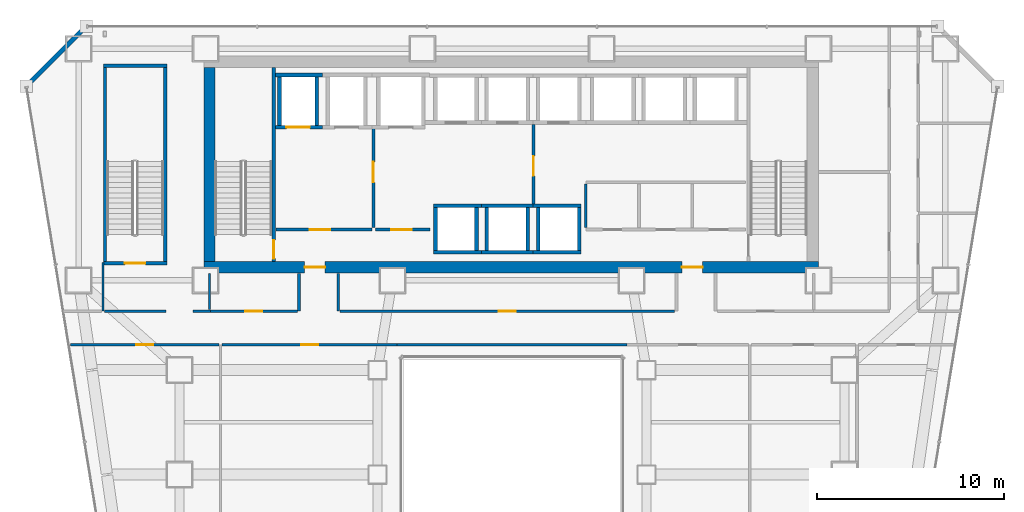
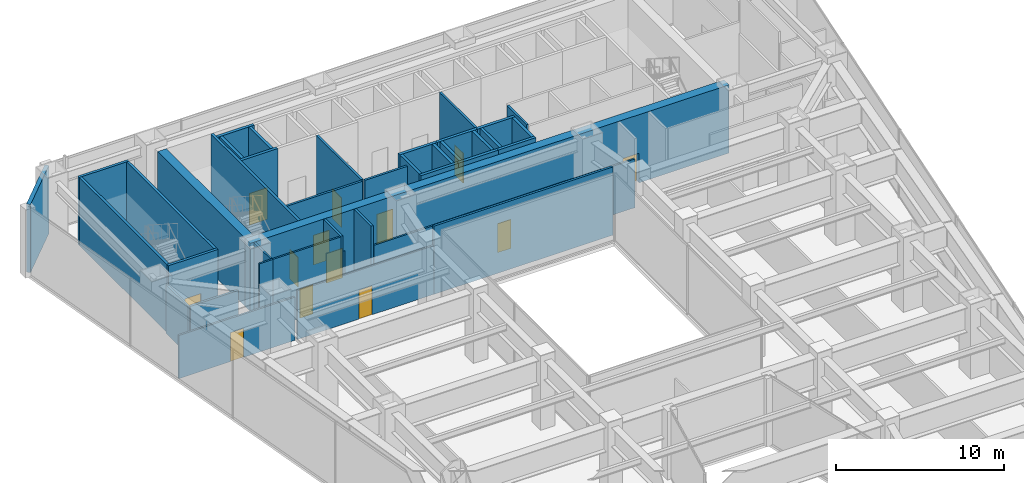
# One storey, part 37 of 42: 40 walls, 13 doors, 13 openings.
"""IFC4 building model written with IfcOpenShell, lengths in metres."""

from ifc_helpers import new_model, si_unit, direction, frame, frame_2d, origin, place, context, subcontext, project, spatial, rectangle, extrude, material, layer, layer_set, type_object, element, fill, save


model = new_model("IFC4")

# Units and contexts
model_context = context("Model", 3, precision=1e-05, world=origin(), true_north=direction((0.0, 1.0)))
body_context = subcontext(model_context, "Body", "Model", "MODEL_VIEW")
ifc_project = project(units=[si_unit("LENGTHUNIT", "METRE"), si_unit("AREAUNIT", "SQUARE_METRE"), si_unit("VOLUMEUNIT", "CUBIC_METRE"), si_unit("PLANEANGLEUNIT", "RADIAN"), si_unit("MASSUNIT", "GRAM", prefix="KILO")], contexts=[model_context])

# Site, building, storey
site_placement = place(None, origin())
site = spatial("IfcSite", under=ifc_project, at=site_placement, CompositionType="ELEMENT")
building_placement = place(site_placement, origin())
building = spatial("IfcBuilding", under=site, at=building_placement, Name="Saevonmaru Cultural Tower", CompositionType="ELEMENT")
storey_placement = place(building_placement, frame((0.0, 0.0, 33.0)))
storey = spatial("IfcBuildingStorey", under=building, at=storey_placement, Name="L06", CompositionType="ELEMENT", Elevation=33.0)

# Wall, openings, doors
ifc_material_1 = material(Name="Concrete C60/75", Category="concrete")
ifc_layer_1 = layer(ifc_material_1, 0.60009765625, Name="Concrete C60/75")
ifc_layer_set_1 = layer_set([ifc_layer_1], Name="Concrete C60/75")
wall_type_1 = type_object("IfcWallType", Name="WL-CORE-600", PredefinedType="SHEAR", material=ifc_layer_set_1)
wall_1_placement = place(storey_placement, frame((13.5, 43.10009765625, 0.0), z_axis=(0.0, 0.0, 1.0), x_axis=(1.0, 0.0, 0.0)))
wall_1 = element("IfcWall", 1, at=wall_1_placement, inside=storey, type_object=wall_type_1, Name="L06 Tower RC core shear wall S", PredefinedType="SHEAR", context=body_context, shape_type="SweptSolid", body=[
    extrude(rectangle(XDim=32.89990234375, YDim=0.60009765625, at=frame_2d((16.449951171875, 0.0))), origin(), (0.0, 0.0, 1.0), 4.949951171875),
])
opening_1_placement = place(wall_1_placement, frame((5.39990234375, 0.0, 0.0)))
opening_1 = element("IfcOpeningElement", 2, at=opening_1_placement, cuts=wall_1, Name="Opening FD-2", PredefinedType="OPENING", context=body_context, shape_type="SweptSolid", body=[
    extrude(rectangle(XDim=1.10009765625, YDim=2.14990234375, at=frame_2d((0.550048828125, 1.074951171875))), frame((0.0, 0.31005859375, 0.0), z_axis=(0.0, -1.0, 0.0), x_axis=(1.0, 0.0, 0.0)), (0.0, 0.0, 1.0), 0.6201171875),
])
opening_2_placement = place(wall_1_placement, frame((25.60009765625, 0.0, 0.0)))
opening_2 = element("IfcOpeningElement", 3, at=opening_2_placement, cuts=wall_1, Name="Opening FD-2", PredefinedType="OPENING", context=body_context, shape_type="SweptSolid", body=[
    extrude(rectangle(XDim=1.10009765625, YDim=2.14990234375, at=frame_2d((0.550048828125, 1.074951171875))), frame((0.0, 0.31005859375, 0.0), z_axis=(0.0, -1.0, 0.0), x_axis=(1.0, 0.0, 0.0)), (0.0, 0.0, 1.0), 0.6201171875),
])
ifc_material_2 = material(Name="Satin Bronze Anodised Aluminium", Category="aluminium")
door_type_1 = type_object("IfcDoorType", Name="DR-FD60-1100", OperationType="SINGLE_SWING_LEFT", PredefinedType="DOOR", material=ifc_material_2)
door_1_placement = place(opening_1_placement, origin())
door_1 = element("IfcDoor", 4, at=door_1_placement, inside=storey, type_object=door_type_1, Name="L06 Core West Lobby Fire Door", OperationType="SINGLE_SWING_LEFT", OverallHeight=2.14990234375, OverallWidth=1.10009765625, PredefinedType="DOOR", context=body_context, shape_type="SweptSolid", body=[
    extrude(rectangle(XDim=1.10009765625, YDim=2.14990234375, at=frame_2d((0.550048828125, 1.074951171875))), frame((0.0, 0.02490234375, 0.0), z_axis=(0.0, -1.0, 0.0), x_axis=(1.0, 0.0, 0.0)), (0.0, 0.0, 1.0), 0.050048828125),
])
fill(opening_1, door_1)
door_2_placement = place(opening_2_placement, origin())
door_2 = element("IfcDoor", 5, at=door_2_placement, inside=storey, type_object=door_type_1, Name="L06 Core East Lobby Fire Door", OperationType="SINGLE_SWING_LEFT", OverallHeight=2.14990234375, OverallWidth=1.10009765625, PredefinedType="DOOR", context=body_context, shape_type="SweptSolid", body=[
    extrude(rectangle(XDim=1.10009765625, YDim=2.14990234375, at=frame_2d((0.550048828125, 1.074951171875))), frame((0.0, 0.02490234375, 0.0), z_axis=(0.0, -1.0, 0.0), x_axis=(1.0, 0.0, 0.0)), (0.0, 0.0, 1.0), 0.050048828125),
])
fill(opening_2, door_2)

# Wall
wall_2_placement = place(storey_placement, frame((13.800048828125, 43.39990234375, 0.0), z_axis=(0.0, 0.0, 1.0), x_axis=(0.0, 1.0, 0.0)))
element("IfcWall", 6, at=wall_2_placement, inside=storey, type_object=wall_type_1, Name="L06 Tower RC core shear wall W", PredefinedType="SHEAR", context=body_context, shape_type="SweptSolid", body=[
    extrude(rectangle(XDim=10.400146484375, YDim=0.60009765625, at=frame_2d((5.2001953125, 0.0))), origin(), (0.0, 0.0, 1.0), 4.949951171875),
])

# Wall, opening, door
ifc_material_3 = material(Name="Gypsum Fireboard Partition", Category="gypsum")
ifc_layer_2 = layer(ifc_material_3, 0.14990234375, Name="Gypsum Fireboard Partition")
ifc_layer_set_2 = layer_set([ifc_layer_2], Name="Gypsum Fireboard Partition")
wall_type_2 = type_object("IfcWallType", Name="WL-CORE-PART-150", PredefinedType="PARTITIONING", material=ifc_layer_set_2)
wall_3_placement = place(storey_placement, frame((17.360107421875, 45.1201171875, 0.0), z_axis=(0.0, 0.0, 1.0), x_axis=(1.0, 0.0, 0.0)))
wall_3 = element("IfcWall", 7, at=wall_3_placement, inside=storey, type_object=wall_type_2, Name="L06 Firefighting Lift Lobby South Wall", PredefinedType="PARTITIONING", context=body_context, shape_type="SweptSolid", body=[
    extrude(rectangle(XDim=5.139892578125, YDim=0.14990234375, at=frame_2d((2.56982421875, 0.0))), origin(), (0.0, 0.0, 1.0), 4.949951171875),
])
opening_3_placement = place(wall_3_placement, frame((1.800048828125, 0.0, 0.0)))
opening_3 = element("IfcOpeningElement", 8, at=opening_3_placement, cuts=wall_3, Name="Opening FD-2", PredefinedType="OPENING", context=body_context, shape_type="SweptSolid", body=[
    extrude(rectangle(XDim=1.10009765625, YDim=2.14990234375, at=frame_2d((0.550048828125, 1.074951171875))), frame((0.0, 0.0849609375, 0.0), z_axis=(0.0, -1.0, 0.0), x_axis=(1.0, 0.0, 0.0)), (0.0, 0.0, 1.0), 0.169921875),
])
door_3_placement = place(opening_3_placement, origin())
door_3 = element("IfcDoor", 9, at=door_3_placement, inside=storey, type_object=door_type_1, Name="L06 Firefighting Lift Lobby South Door", OperationType="SINGLE_SWING_LEFT", OverallHeight=2.14990234375, OverallWidth=1.10009765625, PredefinedType="DOOR", context=body_context, shape_type="SweptSolid", body=[
    extrude(rectangle(XDim=1.10009765625, YDim=2.14990234375, at=frame_2d((0.550048828125, 1.074951171875))), frame((0.0, 0.02490234375, 0.0), z_axis=(0.0, -1.0, 0.0), x_axis=(1.0, 0.0, 0.0)), (0.0, 0.0, 1.0), 0.050048828125),
])
fill(opening_3, door_3)

wall_4_placement = place(storey_placement, frame((22.580078125, 50.550048828125, 0.0), z_axis=(0.0, 0.0, 1.0), x_axis=(0.0, -1.0, 0.0)))
wall_4 = element("IfcWall", 10, at=wall_4_placement, inside=storey, type_object=wall_type_2, Name="L06 Firefighting Lift Lobby East Wall", PredefinedType="PARTITIONING", context=body_context, shape_type="SweptSolid", body=[
    extrude(rectangle(XDim=5.330078125, YDim=0.14990234375, at=frame_2d((2.6650390625, 0.0))), origin(), (0.0, 0.0, 1.0), 4.949951171875),
])
opening_4_placement = place(wall_4_placement, frame((1.800048828125, 0.0, 0.0)))
opening_4 = element("IfcOpeningElement", 11, at=opening_4_placement, cuts=wall_4, Name="Opening FD-2", PredefinedType="OPENING", context=body_context, shape_type="SweptSolid", body=[
    extrude(rectangle(XDim=1.10009765625, YDim=2.14990234375, at=frame_2d((0.550048828125, 1.074951171875))), frame((0.0, 0.0849609375, 0.0), z_axis=(0.0, -1.0, 0.0), x_axis=(1.0, 0.0, 0.0)), (0.0, 0.0, 1.0), 0.169921875),
])
door_4_placement = place(opening_4_placement, origin())
door_4 = element("IfcDoor", 12, at=door_4_placement, inside=storey, type_object=door_type_1, Name="L06 Firefighting Lift Lobby East Door", OperationType="SINGLE_SWING_LEFT", OverallHeight=2.14990234375, OverallWidth=1.10009765625, PredefinedType="DOOR", context=body_context, shape_type="SweptSolid", body=[
    extrude(rectangle(XDim=1.10009765625, YDim=2.14990234375, at=frame_2d((0.550048828125, 1.074951171875))), frame((0.0, 0.02490234375, 0.0), z_axis=(0.0, -1.0, 0.0), x_axis=(1.0, 0.0, 0.0)), (0.0, 0.0, 1.0), 0.050048828125),
])
fill(opening_4, door_4)

wall_5_placement = place(storey_placement, frame((22.679931640625, 45.1201171875, 0.0), z_axis=(0.0, 0.0, 1.0), x_axis=(1.0, 0.0, 0.0)))
wall_5 = element("IfcWall", 13, at=wall_5_placement, inside=storey, type_object=wall_type_2, Name="L06 Service Lift Vestibule Wall", PredefinedType="PARTITIONING", context=body_context, shape_type="SweptSolid", body=[
    extrude(rectangle(XDim=2.920166015625, YDim=0.14990234375, at=frame_2d((1.4599609375, 0.0))), origin(), (0.0, 0.0, 1.0), 4.949951171875),
])
opening_5_placement = place(wall_5_placement, frame((0.85009765625, 0.0, 0.0)))
opening_5 = element("IfcOpeningElement", 14, at=opening_5_placement, cuts=wall_5, Name="Opening FD-2", PredefinedType="OPENING", context=body_context, shape_type="SweptSolid", body=[
    extrude(rectangle(XDim=1.10009765625, YDim=2.14990234375, at=frame_2d((0.550048828125, 1.074951171875))), frame((0.0, 0.0849609375, 0.0), z_axis=(0.0, -1.0, 0.0), x_axis=(1.0, 0.0, 0.0)), (0.0, 0.0, 1.0), 0.169921875),
])
door_5_placement = place(opening_5_placement, origin())
door_5 = element("IfcDoor", 15, at=door_5_placement, inside=storey, type_object=door_type_1, Name="L06 Service Lift Vestibule Door", OperationType="SINGLE_SWING_LEFT", OverallHeight=2.14990234375, OverallWidth=1.10009765625, PredefinedType="DOOR", context=body_context, shape_type="SweptSolid", body=[
    extrude(rectangle(XDim=1.10009765625, YDim=2.14990234375, at=frame_2d((0.550048828125, 1.074951171875))), frame((0.0, 0.02490234375, 0.0), z_axis=(0.0, -1.0, 0.0), x_axis=(1.0, 0.0, 0.0)), (0.0, 0.0, 1.0), 0.050048828125),
])
fill(opening_5, door_5)

wall_6_placement = place(storey_placement, frame((31.14990234375, 46.5, 0.0), z_axis=(0.0, 0.0, 1.0), x_axis=(0.0, 1.0, 0.0)))
wall_6 = element("IfcWall", 16, at=wall_6_placement, inside=storey, type_object=wall_type_2, Name="L06 Lift Zone Baffle 1", PredefinedType="PARTITIONING", context=body_context, shape_type="SweptSolid", body=[
    extrude(rectangle(XDim=4.25, YDim=0.14990234375, at=frame_2d((2.125, 0.0))), origin(), (0.0, 0.0, 1.0), 4.949951171875),
])
opening_6_placement = place(wall_6_placement, frame((1.5, 0.0, 0.0)))
opening_6 = element("IfcOpeningElement", 17, at=opening_6_placement, cuts=wall_6, Name="Opening ID-1", PredefinedType="OPENING", context=body_context, shape_type="SweptSolid", body=[
    extrude(rectangle(XDim=1.050048828125, YDim=2.14990234375, at=frame_2d((0.52490234375, 1.074951171875))), frame((0.0, 0.0849609375, 0.0), z_axis=(0.0, -1.0, 0.0), x_axis=(1.0, 0.0, 0.0)), (0.0, 0.0, 1.0), 0.169921875),
])
door_type_2 = type_object("IfcDoorType", Name="DR-INT-1050", OperationType="SINGLE_SWING_LEFT", PredefinedType="DOOR", material=ifc_material_2)
door_6_placement = place(opening_6_placement, origin())
door_6 = element("IfcDoor", 18, at=door_6_placement, inside=storey, type_object=door_type_2, Name="L06 West-Mid Lobby Portal", OperationType="SINGLE_SWING_LEFT", OverallHeight=2.14990234375, OverallWidth=1.050048828125, PredefinedType="DOOR", context=body_context, shape_type="SweptSolid", body=[
    extrude(rectangle(XDim=1.050048828125, YDim=2.14990234375, at=frame_2d((0.52490234375, 1.074951171875))), frame((0.0, 0.02490234375, 0.0), z_axis=(0.0, -1.0, 0.0), x_axis=(1.0, 0.0, 0.0)), (0.0, 0.0, 1.0), 0.050048828125),
])
fill(opening_6, door_6)

# Walls
wall_7_placement = place(storey_placement, frame((33.949951171875, 45.219970703125, 0.0), z_axis=(0.0, 0.0, 1.0), x_axis=(0.0, 1.0, 0.0)))
element("IfcWall", 19, at=wall_7_placement, inside=storey, type_object=wall_type_2, Name="L06 Core Utility West Wall", PredefinedType="PARTITIONING", context=body_context, shape_type="SweptSolid", body=[
    extrude(rectangle(XDim=2.330078125, YDim=0.14990234375, at=frame_2d((1.1650390625, 0.0))), origin(), (0.0, 0.0, 1.0), 4.949951171875),
])
ifc_material_4 = material(Name="Granite-Clad Precast Concrete C40/50", Category="masonry")
ifc_layer_3 = layer(ifc_material_4, 0.260009765625, Name="Granite-Clad Precast Concrete C40/50")
ifc_layer_set_3 = layer_set([ifc_layer_3], Name="Granite-Clad Precast Concrete C40/50")
wall_type_3 = type_object("IfcWallType", Name="WL-EXT-SPANDREL-260", PredefinedType="STANDARD", material=ifc_layer_set_3)
wall_8_placement = place(storey_placement, frame((7.0869140625, 55.886962890625, 0.0), z_axis=(0.0, 0.0, 1.0), x_axis=(-0.707106781187, -0.707106781187, 0.0)))
element("IfcWall", 20, at=wall_8_placement, inside=storey, type_object=wall_type_3, Name="L06 Chamfer Corner Spandrel Wall E11", PredefinedType="STANDARD", context=body_context, shape_type="SweptSolid", body=[
    extrude(rectangle(XDim=4.205810546875, YDim=0.260009765625, at=frame_2d((2.10302734375, 0.0))), origin(), (0.0, 0.0, 1.0), 4.949951171875),
])
ifc_layer_4 = layer(ifc_material_3, 0.14990234375, Name="Gypsum Fireboard Partition")
ifc_layer_set_4 = layer_set([ifc_layer_4], Name="Gypsum Fireboard Partition")
wall_type_4 = type_object("IfcWallType", Name="WL-PART-FIRE-150", PredefinedType="PARTITIONING", material=ifc_layer_set_4)
wall_9_placement = place(storey_placement, frame((8.179931640625, 40.75, 0.0), z_axis=(0.0, 0.0, 1.0), x_axis=(1.0, 0.0, 0.0)))
element("IfcWall", 21, at=wall_9_placement, inside=storey, type_object=wall_type_4, Name="L06 Stair ST-3 South Vestibule Wall", PredefinedType="PARTITIONING", context=body_context, shape_type="SweptSolid", body=[
    extrude(rectangle(XDim=3.300048828125, YDim=0.14990234375, at=frame_2d((1.64990234375, 0.0))), origin(), (0.0, 0.0, 1.0), 3.534912109375),
])
for number, where, z_axis, x_axis, name in (
    (22, (18.60009765625, 40.75, 0.0), (0.0, 0.0, 1.0), (0.0, 1.0, 0.0), "L06 Core Portal Side Wall W1"),
    (23, (20.699951171875, 40.75, 0.0), (0.0, 0.0, 1.0), (0.0, 1.0, 0.0), "L06 Core Portal Side Wall W2"),
):
    element("IfcWall", number, at=place(storey_placement, frame(where, z_axis=z_axis, x_axis=x_axis)), inside=storey, type_object=wall_type_4, Name=name, PredefinedType="PARTITIONING", context=body_context, shape_type="SweptSolid", body=[
        extrude(rectangle(XDim=2.030029296875, YDim=0.14990234375, at=frame_2d((1.01513671875, 0.0))), origin(), (0.0, 0.0, 1.0), 4.949951171875),
    ])
wall_10_placement = place(storey_placement, frame((23.85009765625, 38.949951171875, 0.0), z_axis=(0.0, 0.0, 1.0), x_axis=(1.0, 0.0, 0.0)))
element("IfcWall", 24, at=wall_10_placement, inside=storey, type_object=wall_type_4, Name="L06 North Atrium Corridor Wall", PredefinedType="PARTITIONING", context=body_context, shape_type="SweptSolid", body=[
    extrude(rectangle(XDim=12.2998046875, YDim=0.14990234375, at=frame_2d((6.14990234375, 0.0))), origin(), (0.0, 0.0, 1.0), 4.949951171875),
])
ifc_layer_5 = layer(ifc_material_3, 0.1201171875, Name="Gypsum Fireboard Partition")
ifc_layer_set_5 = layer_set([ifc_layer_5], Name="Gypsum Fireboard Partition")
wall_type_5 = type_object("IfcWallType", Name="WL-PART-GYP-120", PredefinedType="PARTITIONING", material=ifc_layer_set_5)
wall_11_placement = place(storey_placement, frame((12.919921875, 40.75, 0.0), z_axis=(0.0, 0.0, 1.0), x_axis=(1.0, 0.0, 0.0)))
element("IfcWall", 25, at=wall_11_placement, inside=storey, type_object=wall_type_5, Name="L06 NW Inner South Wall", PredefinedType="PARTITIONING", context=body_context, shape_type="SweptSolid", body=[
    extrude(rectangle(XDim=0.93017578125, YDim=0.1201171875, at=frame_2d((0.465087890625, 0.0))), origin(), (0.0, 0.0, 1.0), 4.949951171875),
])
wall_12_placement = place(storey_placement, frame((13.800048828125, 40.830078125, 0.0), z_axis=(0.0, 0.0, 1.0), x_axis=(0.0, 1.0, 0.0)))
element("IfcWall", 26, at=wall_12_placement, inside=storey, type_object=wall_type_5, Name="L06 NW Inner Core Return", PredefinedType="PARTITIONING", context=body_context, shape_type="SweptSolid", body=[
    extrude(rectangle(XDim=1.949951171875, YDim=0.1201171875, at=frame_2d((0.97509765625, 0.0))), origin(), (0.0, 0.0, 1.0), 4.949951171875),
])
wall_13_placement = place(storey_placement, frame((8.10009765625, 40.75, 0.0), z_axis=(0.0, 0.0, 1.0), x_axis=(0.0, 1.0, 0.0)))
element("IfcWall", 27, at=wall_13_placement, inside=storey, type_object=wall_type_5, Name="L06 NW Stair Return", PredefinedType="PARTITIONING", context=body_context, shape_type="SweptSolid", body=[
    extrude(rectangle(XDim=2.60009765625, YDim=0.1201171875, at=frame_2d((1.300048828125, 0.0))), origin(), (0.0, 0.0, 1.0), 3.534912109375),
])

# Wall, opening, door
wall_14_placement = place(storey_placement, frame((13.85009765625, 40.75, 0.0), z_axis=(0.0, 0.0, 1.0), x_axis=(1.0, 0.0, 0.0)))
wall_14 = element("IfcWall", 28, at=wall_14_placement, inside=storey, type_object=wall_type_5, Name="L06 Curatorial Research Office Corridor Wall", PredefinedType="PARTITIONING", context=body_context, shape_type="SweptSolid", body=[
    extrude(rectangle(XDim=4.65478515625, YDim=0.1201171875, at=frame_2d((2.327392578125, 0.0))), origin(), (0.0, 0.0, 1.0), 4.949951171875),
])
opening_7_placement = place(wall_14_placement, frame((1.876953125, 0.0, 0.0)))
opening_7 = element("IfcOpeningElement", 29, at=opening_7_placement, cuts=wall_14, Name="Opening ID-2", PredefinedType="OPENING", context=body_context, shape_type="SweptSolid", body=[
    extrude(rectangle(XDim=0.89990234375, YDim=2.10009765625, at=frame_2d((0.449951171875, 1.050048828125))), frame((0.0, 0.070068359375, 0.0), z_axis=(0.0, -1.0, 0.0), x_axis=(1.0, 0.0, 0.0)), (0.0, 0.0, 1.0), 0.14013671875),
])
ifc_material_5 = material(Name="Acoustic Stained Oak Timber", Category="wood")
door_type_3 = type_object("IfcDoorType", Name="DR-INT-900", OperationType="SINGLE_SWING_RIGHT", PredefinedType="DOOR", material=ifc_material_5)
door_7_placement = place(opening_7_placement, origin())
door_7 = element("IfcDoor", 30, at=door_7_placement, inside=storey, type_object=door_type_3, Name="L06 Curatorial Research Office Door", OperationType="SINGLE_SWING_LEFT", OverallHeight=2.10009765625, OverallWidth=0.89990234375, PredefinedType="DOOR", context=body_context, shape_type="SweptSolid", body=[
    extrude(rectangle(XDim=0.89990234375, YDim=2.10009765625, at=frame_2d((0.449951171875, 1.050048828125))), frame((0.0, 0.02490234375, 0.0), z_axis=(0.0, -1.0, 0.0), x_axis=(1.0, 0.0, 0.0)), (0.0, 0.0, 1.0), 0.050048828125),
])
fill(opening_7, door_7)

wall_15_placement = place(storey_placement, frame((20.794921875, 40.75, 0.0), z_axis=(0.0, 0.0, 1.0), x_axis=(1.0, 0.0, 0.0)))
wall_15 = element("IfcWall", 31, at=wall_15_placement, inside=storey, type_object=wall_type_5, Name="L06 Archival Conservation Office Corridor Wall", PredefinedType="PARTITIONING", context=body_context, shape_type="SweptSolid", body=[
    extrude(rectangle(XDim=17.91015625, YDim=0.1201171875, at=frame_2d((8.955078125, 0.0))), origin(), (0.0, 0.0, 1.0), 3.534912109375),
])
opening_8_placement = place(wall_15_placement, frame((8.5048828125, 0.0, 0.0)))
opening_8 = element("IfcOpeningElement", 32, at=opening_8_placement, cuts=wall_15, Name="Opening ID-2", PredefinedType="OPENING", context=body_context, shape_type="SweptSolid", body=[
    extrude(rectangle(XDim=0.89990234375, YDim=2.10009765625, at=frame_2d((0.449951171875, 1.050048828125))), frame((0.0, 0.070068359375, 0.0), z_axis=(0.0, -1.0, 0.0), x_axis=(1.0, 0.0, 0.0)), (0.0, 0.0, 1.0), 0.14013671875),
])
door_8_placement = place(opening_8_placement, origin())
door_8 = element("IfcDoor", 33, at=door_8_placement, inside=storey, type_object=door_type_3, Name="L06 Archival Conservation Office Door", OperationType="SINGLE_SWING_RIGHT", OverallHeight=2.10009765625, OverallWidth=0.89990234375, PredefinedType="DOOR", context=body_context, shape_type="SweptSolid", body=[
    extrude(rectangle(XDim=0.89990234375, YDim=2.10009765625, at=frame_2d((0.449951171875, 1.050048828125))), frame((0.0, 0.02490234375, 0.0), z_axis=(0.0, -1.0, 0.0), x_axis=(1.0, 0.0, 0.0)), (0.0, 0.0, 1.0), 0.050048828125),
])
fill(opening_8, door_8)

wall_16_placement = place(storey_placement, frame((6.36279296875, 38.949951171875, 0.0), z_axis=(0.0, 0.0, 1.0), x_axis=(1.0, 0.0, 0.0)))
wall_16 = element("IfcWall", 34, at=wall_16_placement, inside=storey, type_object=wall_type_5, Name="L06 Curatorial Research Office Corridor Wall", PredefinedType="PARTITIONING", context=body_context, shape_type="SweptSolid", body=[
    extrude(rectangle(XDim=7.957275390625, YDim=0.1201171875, at=frame_2d((3.978515625, 0.0))), origin(), (0.0, 0.0, 1.0), 3.135009765625),
])
opening_9_placement = place(wall_16_placement, frame((3.529052734375, 0.0, 0.0)))
opening_9 = element("IfcOpeningElement", 35, at=opening_9_placement, cuts=wall_16, Name="Opening ID-2", PredefinedType="OPENING", context=body_context, shape_type="SweptSolid", body=[
    extrude(rectangle(XDim=0.89990234375, YDim=2.10009765625, at=frame_2d((0.449951171875, 1.050048828125))), frame((0.0, 0.070068359375, 0.0), z_axis=(0.0, -1.0, 0.0), x_axis=(1.0, 0.0, 0.0)), (0.0, 0.0, 1.0), 0.14013671875),
])
door_9_placement = place(opening_9_placement, origin())
door_9 = element("IfcDoor", 36, at=door_9_placement, inside=storey, type_object=door_type_3, Name="L06 Curatorial Research Office Door", OperationType="SINGLE_SWING_RIGHT", OverallHeight=2.10009765625, OverallWidth=0.89990234375, PredefinedType="DOOR", context=body_context, shape_type="SweptSolid", body=[
    extrude(rectangle(XDim=0.89990234375, YDim=2.10009765625, at=frame_2d((0.449951171875, 1.050048828125))), frame((0.0, 0.02490234375, 0.0), z_axis=(0.0, -1.0, 0.0), x_axis=(1.0, 0.0, 0.0)), (0.0, 0.0, 1.0), 0.050048828125),
])
fill(opening_9, door_9)

wall_17_placement = place(storey_placement, frame((14.47998046875, 38.949951171875, 0.0), z_axis=(0.0, 0.0, 1.0), x_axis=(1.0, 0.0, 0.0)))
wall_17 = element("IfcWall", 37, at=wall_17_placement, inside=storey, type_object=wall_type_5, Name="L06 Archival Conservation Office Corridor Wall", PredefinedType="PARTITIONING", context=body_context, shape_type="SweptSolid", body=[
    extrude(rectangle(XDim=9.3701171875, YDim=0.1201171875, at=frame_2d((4.68505859375, 0.0))), origin(), (0.0, 0.0, 1.0), 3.534912109375),
])
opening_10_placement = place(wall_17_placement, frame((4.235107421875, 0.0, 0.0)))
opening_10 = element("IfcOpeningElement", 38, at=opening_10_placement, cuts=wall_17, Name="Opening ID-2", PredefinedType="OPENING", context=body_context, shape_type="SweptSolid", body=[
    extrude(rectangle(XDim=0.89990234375, YDim=2.10009765625, at=frame_2d((0.449951171875, 1.050048828125))), frame((0.0, 0.070068359375, 0.0), z_axis=(0.0, -1.0, 0.0), x_axis=(1.0, 0.0, 0.0)), (0.0, 0.0, 1.0), 0.14013671875),
])
door_10_placement = place(opening_10_placement, origin())
door_10 = element("IfcDoor", 39, at=door_10_placement, inside=storey, type_object=door_type_3, Name="L06 Archival Conservation Office Door", OperationType="SINGLE_SWING_LEFT", OverallHeight=2.10009765625, OverallWidth=0.89990234375, PredefinedType="DOOR", context=body_context, shape_type="SweptSolid", body=[
    extrude(rectangle(XDim=0.89990234375, YDim=2.10009765625, at=frame_2d((0.449951171875, 1.050048828125))), frame((0.0, 0.02490234375, 0.0), z_axis=(0.0, -1.0, 0.0), x_axis=(1.0, 0.0, 0.0)), (0.0, 0.0, 1.0), 0.050048828125),
])
fill(opening_10, door_10)

ifc_material_6 = material(Name="Concrete C40/50", Category="concrete")
ifc_layer_6 = layer(ifc_material_6, 0.199951171875, Name="Concrete C40/50")
ifc_layer_set_6 = layer_set([ifc_layer_6], Name="Concrete C40/50")
wall_type_6 = type_object("IfcWallType", Name="WL-SHAFT-200", PredefinedType="SHEAR", material=ifc_layer_set_6)
wall_18_placement = place(storey_placement, frame((17.330078125, 50.60009765625, 0.0), z_axis=(0.0, 0.0, 1.0), x_axis=(1.0, 0.0, 0.0)))
wall_18 = element("IfcWall", 40, at=wall_18_placement, inside=storey, type_object=wall_type_6, Name="L06 Lift FFL-1 Hoistway Wall S", PredefinedType="SHEAR", context=body_context, shape_type="SweptSolid", body=[
    extrude(rectangle(XDim=2.52001953125, YDim=0.199951171875, at=frame_2d((1.260009765625, 0.0))), origin(), (0.0, 0.0, 1.0), 4.949951171875),
])
opening_11_placement = place(wall_18_placement, frame((0.594970703125, 0.0, 0.0)))
opening_11 = element("IfcOpeningElement", 41, at=opening_11_placement, cuts=wall_18, Name="Opening LD-2", PredefinedType="OPENING", context=body_context, shape_type="SweptSolid", body=[
    extrude(rectangle(XDim=1.25, YDim=2.300048828125, at=frame_2d((0.625, 1.14990234375))), frame((0.0, 0.10986328125, 0.0), z_axis=(0.0, -1.0, 0.0), x_axis=(1.0, 0.0, 0.0)), (0.0, 0.0, 1.0), 0.219970703125),
])
ifc_material_7 = material(Name="Stainless Steel 316", Category="steel")
door_type_4 = type_object("IfcDoorType", Name="DR-LIFT-1250", OperationType="SLIDING_TO_LEFT", PredefinedType="DOOR", material=ifc_material_7)
door_11_placement = place(opening_11_placement, origin())
door_11 = element("IfcDoor", 42, at=door_11_placement, inside=storey, type_object=door_type_4, Name="L06 Lift FFL-1 Sliding Landing Door", OperationType="SLIDING_TO_LEFT", OverallHeight=2.300048828125, OverallWidth=1.25, PredefinedType="DOOR", context=body_context, shape_type="SweptSolid", body=[
    extrude(rectangle(XDim=1.25, YDim=2.300048828125, at=frame_2d((0.625, 1.14990234375))), frame((0.0, 0.02490234375, 0.0), z_axis=(0.0, -1.0, 0.0), x_axis=(1.0, 0.0, 0.0)), (0.0, 0.0, 1.0), 0.050048828125),
])
fill(opening_11, door_11)

# Walls
wall_19_placement = place(storey_placement, frame((17.330078125, 53.39990234375, 0.0), z_axis=(0.0, 0.0, 1.0), x_axis=(1.0, 0.0, 0.0)))
element("IfcWall", 43, at=wall_19_placement, inside=storey, type_object=wall_type_6, Name="L06 Lift FFL-1 Hoistway Wall N", PredefinedType="SHEAR", context=body_context, shape_type="SweptSolid", body=[
    extrude(rectangle(XDim=2.52001953125, YDim=0.199951171875, at=frame_2d((1.260009765625, 0.0))), origin(), (0.0, 0.0, 1.0), 4.949951171875),
])
for number, where, z_axis, x_axis, name in (
    (44, (17.550048828125, 50.699951171875, 0.0), (0.0, 0.0, 1.0), (0.0, 1.0, 0.0), "L06 Lift FFL-1 Hoistway Wall W"),
    (45, (19.550048828125, 50.699951171875, 0.0), (0.0, 0.0, 1.0), (0.0, 1.0, 0.0), "L06 Lift FFL-1 Hoistway Wall E"),
):
    element("IfcWall", number, at=place(storey_placement, frame(where, z_axis=z_axis, x_axis=x_axis)), inside=storey, type_object=wall_type_6, Name=name, PredefinedType="SHEAR", context=body_context, shape_type="SweptSolid", body=[
        extrude(rectangle(XDim=2.60009765625, YDim=0.199951171875, at=frame_2d((1.300048828125, 0.0))), origin(), (0.0, 0.0, 1.0), 4.949951171875),
    ])
for number, where, z_axis, x_axis, name in (
    (46, (25.800048828125, 43.89990234375, 0.0), (0.0, 0.0, 1.0), (1.0, 0.0, 0.0), "L06 Lift PL-M1 Hoistway Wall S"),
    (47, (25.800048828125, 46.39990234375, 0.0), (0.0, 0.0, 1.0), (1.0, 0.0, 0.0), "L06 Lift PL-M1 Hoistway Wall N"),
):
    element("IfcWall", number, at=place(storey_placement, frame(where, z_axis=z_axis, x_axis=x_axis)), inside=storey, type_object=wall_type_6, Name=name, PredefinedType="SHEAR", context=body_context, shape_type="SweptSolid", body=[
        extrude(rectangle(XDim=2.574951171875, YDim=0.199951171875, at=frame_2d((1.28759765625, 0.0))), origin(), (0.0, 0.0, 1.0), 4.949951171875),
    ])
for number, where, z_axis, x_axis, name in (
    (48, (25.89990234375, 44.0, 0.0), (0.0, 0.0, 1.0), (0.0, 1.0, 0.0), "L06 Lift PL-M1 Hoistway Wall W"),
    (49, (28.10009765625, 44.0, 0.0), (0.0, 0.0, 1.0), (0.0, 1.0, 0.0), "L06 Lift PL-M1 Hoistway Wall E"),
):
    element("IfcWall", number, at=place(storey_placement, frame(where, z_axis=z_axis, x_axis=x_axis)), inside=storey, type_object=wall_type_6, Name=name, PredefinedType="SHEAR", context=body_context, shape_type="SweptSolid", body=[
        extrude(rectangle(XDim=2.300048828125, YDim=0.199951171875, at=frame_2d((1.14990234375, 0.0))), origin(), (0.0, 0.0, 1.0), 4.949951171875),
    ])
for number, where, z_axis, x_axis, name in (
    (50, (28.375, 43.89990234375, 0.0), (0.0, 0.0, 1.0), (1.0, 0.0, 0.0), "L06 Lift PL-M2 Hoistway Wall S"),
    (51, (28.375, 46.39990234375, 0.0), (0.0, 0.0, 1.0), (1.0, 0.0, 0.0), "L06 Lift PL-M2 Hoistway Wall N"),
):
    element("IfcWall", number, at=place(storey_placement, frame(where, z_axis=z_axis, x_axis=x_axis)), inside=storey, type_object=wall_type_6, Name=name, PredefinedType="SHEAR", context=body_context, shape_type="SweptSolid", body=[
        extrude(rectangle(XDim=2.75, YDim=0.199951171875, at=frame_2d((1.375, 0.0))), origin(), (0.0, 0.0, 1.0), 4.949951171875),
    ])
for number, where, z_axis, x_axis, name in (
    (52, (28.64990234375, 44.0, 0.0), (0.0, 0.0, 1.0), (0.0, 1.0, 0.0), "L06 Lift PL-M2 Hoistway Wall W"),
    (53, (30.85009765625, 44.0, 0.0), (0.0, 0.0, 1.0), (0.0, 1.0, 0.0), "L06 Lift PL-M2 Hoistway Wall E"),
):
    element("IfcWall", number, at=place(storey_placement, frame(where, z_axis=z_axis, x_axis=x_axis)), inside=storey, type_object=wall_type_6, Name=name, PredefinedType="SHEAR", context=body_context, shape_type="SweptSolid", body=[
        extrude(rectangle(XDim=2.300048828125, YDim=0.199951171875, at=frame_2d((1.14990234375, 0.0))), origin(), (0.0, 0.0, 1.0), 4.949951171875),
    ])
for number, where, z_axis, x_axis, name in (
    (54, (31.125, 43.89990234375, 0.0), (0.0, 0.0, 1.0), (1.0, 0.0, 0.0), "L06 Lift PL-M3 Hoistway Wall S"),
    (55, (31.125, 46.39990234375, 0.0), (0.0, 0.0, 1.0), (1.0, 0.0, 0.0), "L06 Lift PL-M3 Hoistway Wall N"),
):
    element("IfcWall", number, at=place(storey_placement, frame(where, z_axis=z_axis, x_axis=x_axis)), inside=storey, type_object=wall_type_6, Name=name, PredefinedType="SHEAR", context=body_context, shape_type="SweptSolid", body=[
        extrude(rectangle(XDim=2.574951171875, YDim=0.199951171875, at=frame_2d((1.28759765625, 0.0))), origin(), (0.0, 0.0, 1.0), 4.949951171875),
    ])
for number, where, z_axis, x_axis, name in (
    (56, (31.39990234375, 44.0, 0.0), (0.0, 0.0, 1.0), (0.0, 1.0, 0.0), "L06 Lift PL-M3 Hoistway Wall W"),
    (57, (33.60009765625, 44.0, 0.0), (0.0, 0.0, 1.0), (0.0, 1.0, 0.0), "L06 Lift PL-M3 Hoistway Wall E"),
):
    element("IfcWall", number, at=place(storey_placement, frame(where, z_axis=z_axis, x_axis=x_axis)), inside=storey, type_object=wall_type_6, Name=name, PredefinedType="SHEAR", context=body_context, shape_type="SweptSolid", body=[
        extrude(rectangle(XDim=2.300048828125, YDim=0.199951171875, at=frame_2d((1.14990234375, 0.0))), origin(), (0.0, 0.0, 1.0), 4.949951171875),
    ])

# Wall, opening, door
ifc_layer_7 = layer(ifc_material_6, 0.179931640625, Name="Concrete C40/50")
ifc_layer_set_7 = layer_set([ifc_layer_7], Name="Concrete C40/50")
wall_type_7 = type_object("IfcWallType", Name="WL-STSHAFT-180", PredefinedType="SHEAR", material=ifc_layer_set_7)
wall_20_placement = place(storey_placement, frame((17.239990234375, 43.39990234375, 0.0), z_axis=(0.0, 0.0, 1.0), x_axis=(0.0, 1.0, 0.0)))
wall_20 = element("IfcWall", 58, at=wall_20_placement, inside=storey, type_object=wall_type_7, Name="L06 Stair ST-1 Structural Shaft Wall 1", PredefinedType="SHEAR", context=body_context, shape_type="SweptSolid", body=[
    extrude(rectangle(XDim=10.400146484375, YDim=0.179931640625, at=frame_2d((5.2001953125, 0.0))), origin(), (0.0, 0.0, 1.0), 4.949951171875),
])
opening_12_placement = place(wall_20_placement, frame((0.159912109375, 0.0, 0.0)))
opening_12 = element("IfcOpeningElement", 59, at=opening_12_placement, cuts=wall_20, Name="Opening FD-3", PredefinedType="OPENING", context=body_context, shape_type="SweptSolid", body=[
    extrude(rectangle(XDim=1.0, YDim=2.14990234375, at=frame_2d((0.5, 1.074951171875))), frame((0.0, 0.10009765625, 0.0), z_axis=(0.0, -1.0, 0.0), x_axis=(1.0, 0.0, 0.0)), (0.0, 0.0, 1.0), 0.199951171875),
])
door_type_5 = type_object("IfcDoorType", Name="DR-FD60-1000", OperationType="SINGLE_SWING_RIGHT", PredefinedType="DOOR", material=ifc_material_2)
door_12_placement = place(opening_12_placement, origin())
door_12 = element("IfcDoor", 60, at=door_12_placement, inside=storey, type_object=door_type_5, Name="L06 Protected Stair ST-1 Fire Door", OperationType="SINGLE_SWING_RIGHT", OverallHeight=2.14990234375, OverallWidth=1.0, PredefinedType="DOOR", context=body_context, shape_type="SweptSolid", body=[
    extrude(rectangle(XDim=1.0, YDim=2.14990234375, at=frame_2d((0.5, 1.074951171875))), frame((0.0, 0.02490234375, 0.0), z_axis=(0.0, -1.0, 0.0), x_axis=(1.0, 0.0, 0.0)), (0.0, 0.0, 1.0), 0.050048828125),
])
fill(opening_12, door_12)

wall_21_placement = place(storey_placement, frame((8.1201171875, 43.31005859375, 0.0), z_axis=(0.0, 0.0, 1.0), x_axis=(1.0, 0.0, 0.0)))
wall_21 = element("IfcWall", 61, at=wall_21_placement, inside=storey, type_object=wall_type_7, Name="L06 Stair ST-3 Structural Shaft Wall 1", PredefinedType="SHEAR", context=body_context, shape_type="SweptSolid", body=[
    extrude(rectangle(XDim=3.409912109375, YDim=0.179931640625, at=frame_2d((1.705078125, 0.0))), origin(), (0.0, 0.0, 1.0), 4.949951171875),
])
opening_13_placement = place(wall_21_placement, frame((1.14990234375, 0.0, 0.0)))
opening_13 = element("IfcOpeningElement", 62, at=opening_13_placement, cuts=wall_21, Name="Opening FD-2", PredefinedType="OPENING", context=body_context, shape_type="SweptSolid", body=[
    extrude(rectangle(XDim=1.10009765625, YDim=2.14990234375, at=frame_2d((0.550048828125, 1.074951171875))), frame((0.0, 0.10009765625, 0.0), z_axis=(0.0, -1.0, 0.0), x_axis=(1.0, 0.0, 0.0)), (0.0, 0.0, 1.0), 0.199951171875),
])
door_13_placement = place(opening_13_placement, origin())
door_13 = element("IfcDoor", 63, at=door_13_placement, inside=storey, type_object=door_type_1, Name="L06 Protected Stair ST-3 Fire Door", OperationType="SINGLE_SWING_LEFT", OverallHeight=2.14990234375, OverallWidth=1.10009765625, PredefinedType="DOOR", context=body_context, shape_type="SweptSolid", body=[
    extrude(rectangle(XDim=1.10009765625, YDim=2.14990234375, at=frame_2d((0.550048828125, 1.074951171875))), frame((0.0, 0.02490234375, 0.0), z_axis=(0.0, -1.0, 0.0), x_axis=(1.0, 0.0, 0.0)), (0.0, 0.0, 1.0), 0.050048828125),
])
fill(opening_13, door_13)

# Walls
wall_22_placement = place(storey_placement, frame((11.43994140625, 43.39990234375, 0.0), z_axis=(0.0, 0.0, 1.0), x_axis=(0.0, 1.0, 0.0)))
element("IfcWall", 64, at=wall_22_placement, inside=storey, type_object=wall_type_7, Name="L06 Stair ST-3 Structural Shaft Wall 2", PredefinedType="SHEAR", context=body_context, shape_type="SweptSolid", body=[
    extrude(rectangle(XDim=10.400146484375, YDim=0.179931640625, at=frame_2d((5.2001953125, 0.0))), origin(), (0.0, 0.0, 1.0), 4.949951171875),
])
wall_23_placement = place(storey_placement, frame((11.530029296875, 53.889892578125, 0.0), z_axis=(0.0, 0.0, 1.0), x_axis=(-1.0, 0.0, 0.0)))
element("IfcWall", 65, at=wall_23_placement, inside=storey, type_object=wall_type_7, Name="L06 Stair ST-3 Structural Shaft Wall 3", PredefinedType="SHEAR", context=body_context, shape_type="SweptSolid", body=[
    extrude(rectangle(XDim=3.409912109375, YDim=0.179931640625, at=frame_2d((1.705078125, 0.0))), origin(), (0.0, 0.0, 1.0), 4.949951171875),
])
wall_24_placement = place(storey_placement, frame((8.2099609375, 53.800048828125, 0.0), z_axis=(0.0, 0.0, 1.0), x_axis=(0.0, -1.0, 0.0)))
element("IfcWall", 66, at=wall_24_placement, inside=storey, type_object=wall_type_7, Name="L06 Stair ST-3 Structural Shaft Wall 4", PredefinedType="SHEAR", context=body_context, shape_type="SweptSolid", body=[
    extrude(rectangle(XDim=10.400146484375, YDim=0.179931640625, at=frame_2d((5.2001953125, 0.0))), origin(), (0.0, 0.0, 1.0), 4.949951171875),
])

save(model, "model.ifc")
